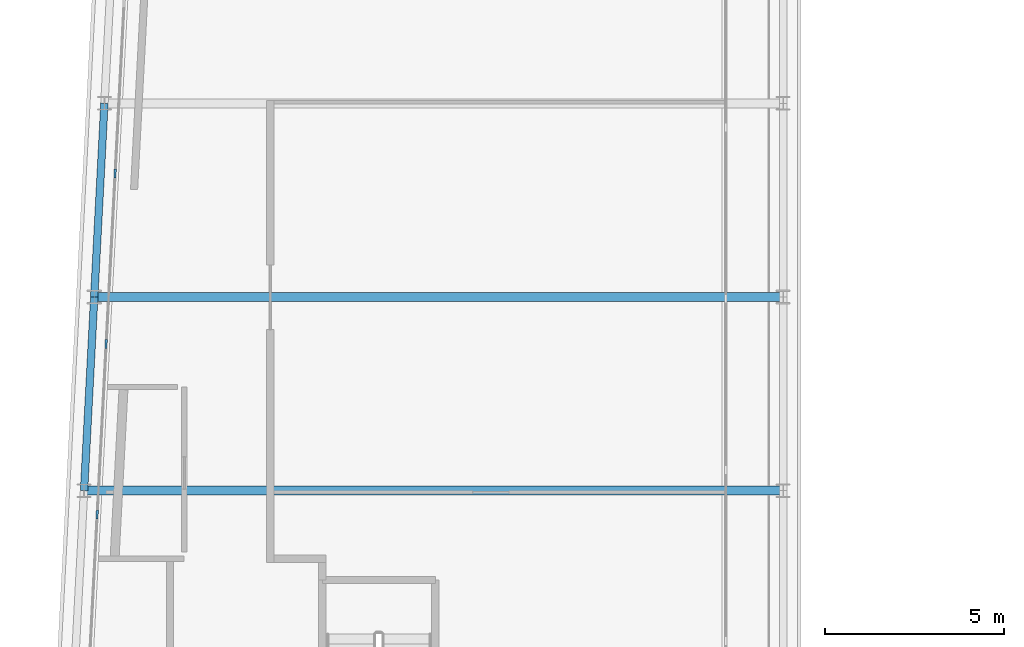
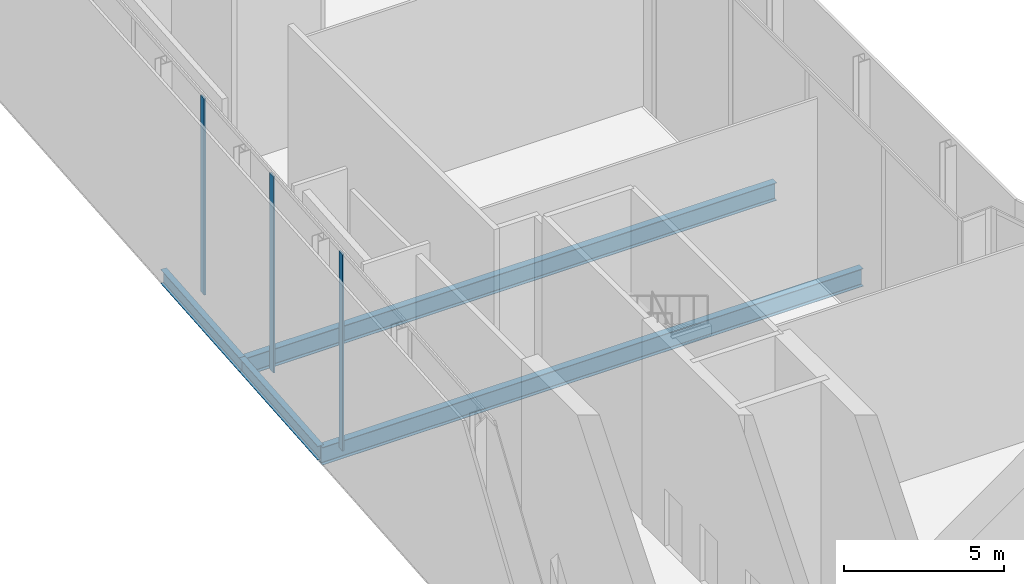
# One storey, part 9 of 28: 4 beams, 3 members, 1 element without a shape of its own.
"""IFC4 building model written with IfcOpenShell, lengths in metres."""

from ifc_helpers import new_model, si_unit, direction, frame, origin, origin_2d, place, context, subcontext, project, spatial, rectangle, i_section, extrude, material, layer, layer_set, material_profile, profile_set, type_object, element, aggregate, save


model = new_model("IFC4")

# Units and contexts
model_context = context("Model", 3, precision=1e-05, world=origin(), true_north=direction((0.0, 1.0)))
body_context = subcontext(model_context, "Body", "Model", "MODEL_VIEW")
ifc_project = project(units=[si_unit("LENGTHUNIT", "METRE"), si_unit("AREAUNIT", "SQUARE_METRE"), si_unit("VOLUMEUNIT", "CUBIC_METRE"), si_unit("PLANEANGLEUNIT", "RADIAN"), si_unit("MASSUNIT", "GRAM", prefix="KILO")], contexts=[model_context])

# Site, building, storey
site_placement = place(None, origin())
site = spatial("IfcSite", under=ifc_project, at=site_placement, CompositionType="ELEMENT")
building_placement = place(site_placement, origin())
building = spatial("IfcBuilding", under=site, at=building_placement, Name="Kheshtan School and Residences Tower", CompositionType="ELEMENT")
storey_placement = place(building_placement, frame((0.0, 0.0, 325.39990234375)))
storey = spatial("IfcBuildingStorey", under=building, at=storey_placement, Name="L77", CompositionType="ELEMENT", Elevation=325.39990234375)

# Beams
ifc_material_1 = material(Name="Steel ASTM A992 Grade 50", Category="steel")
ifc_material_profile_1 = material_profile(ifc_material_1, i_section(OverallWidth=0.2529296875, OverallDepth=0.677978515625, WebThickness=0.01171875, FlangeThickness=0.016357421875, FilletRadius=0.0146484375, at=origin_2d()), Name="W690x125")
ifc_profile_set_1 = profile_set([ifc_material_profile_1], Name="Steel ASTM A992 Grade 50")
beam_type_1 = type_object("IfcBeamType", Name="Beam FB6 W690x125 ASTM A992 Grade 50", PredefinedType="BEAM", material=ifc_profile_set_1)
beam_1_placement = place(storey_placement, frame((47.60009765625, 56.39990234375, -0.489013671875), z_axis=(-1.0, 0.0, 0.0), x_axis=(0.0, -1.0, 0.0)))
element("IfcBeam", 1, at=beam_1_placement, inside=storey, type_object=beam_type_1, Name="Floor beam C081", PredefinedType="BEAM", context=body_context, shape_type="SweptSolid", body=[
    extrude(i_section(OverallWidth=0.2529296875, OverallDepth=0.677978515625, WebThickness=0.01171875, FlangeThickness=0.016357421875, FilletRadius=0.0146484375, at=origin_2d()), origin(), (0.0, 0.0, 1.0), 19.494140625),
])
beam_2_placement = place(storey_placement, frame((28.389892578125, 61.800048828125, -0.489013671875), z_axis=(1.0, 0.0, 0.0), x_axis=(0.0, 1.0, 0.0)))
element("IfcBeam", 2, at=beam_2_placement, inside=storey, type_object=beam_type_1, Name="Floor beam C082", PredefinedType="BEAM", context=body_context, shape_type="SweptSolid", body=[
    extrude(i_section(OverallWidth=0.2529296875, OverallDepth=0.677978515625, WebThickness=0.01171875, FlangeThickness=0.016357421875, FilletRadius=0.0146484375, at=origin_2d()), origin(), (0.0, 0.0, 1.0), 19.210205078125),
])
ifc_material_profile_2 = material_profile(ifc_material_1, i_section(OverallWidth=0.208984375, OverallDepth=0.532958984375, WebThickness=0.01025390625, FlangeThickness=0.015625, FilletRadius=0.013916015625, at=origin_2d()), Name="W530x92")
ifc_profile_set_2 = profile_set([ifc_material_profile_2], Name="Steel ASTM A992 Grade 50")
beam_type_2 = type_object("IfcBeamType", Name="Beam SP3 W530x92 ASTM A992 Grade 50", PredefinedType="BEAM", material=ifc_profile_set_2)
beam_3_placement = place(storey_placement, frame((28.10595703125, 56.39990234375, -0.41650390625), z_axis=(0.05250670125, 0.998620571751, 0.0), x_axis=(-0.998620571751, 0.05250670125, 0.0)))
element("IfcBeam", 3, at=beam_3_placement, inside=storey, type_object=beam_type_2, Name="Spandrel beam C080-C082", PredefinedType="BEAM", context=body_context, shape_type="SweptSolid", body=[
    extrude(i_section(OverallWidth=0.208984375, OverallDepth=0.532958984375, WebThickness=0.01025390625, FlangeThickness=0.015625, FilletRadius=0.013916015625, at=origin_2d()), origin(), (0.0, 0.0, 1.0), 5.40771484375),
])
beam_4_placement = place(storey_placement, frame((28.389892578125, 61.800048828125, -0.41650390625), z_axis=(0.052554093665, 0.998618078766, 0.0), x_axis=(-0.998618078766, 0.052554093665, 0.0)))
element("IfcBeam", 4, at=beam_4_placement, inside=storey, type_object=beam_type_2, Name="Spandrel beam C082-C084", PredefinedType="BEAM", context=body_context, shape_type="SweptSolid", body=[
    extrude(i_section(OverallWidth=0.208984375, OverallDepth=0.532958984375, WebThickness=0.01025390625, FlangeThickness=0.015625, FilletRadius=0.013916015625, at=origin_2d()), origin(), (0.0, 0.0, 1.0), 5.407470703125),
])

# Curtain wall, members
ifc_material_2 = material(Name="Clear low-e glass in thermally broken aluminium frame", Category="aluminium")
ifc_layer = layer(ifc_material_2, 0.25)
ifc_layer_set = layer_set([ifc_layer], Name="Curtain wall CW-K")
curtain_wall_type = type_object("IfcCurtainWallType", Name="Curtain wall CW-K", PredefinedType="NOTDEFINED", material=ifc_layer_set)
curtain_wall_placement = place(storey_placement, origin())
curtain_wall = element("IfcCurtainWall", 5, at=curtain_wall_placement, inside=storey, type_object=curtain_wall_type, Name="Curtain wall CWK6b", PredefinedType="NOTDEFINED")
ifc_material_3 = material(Name="Thermally broken aluminium, dark bronze anodised", Category="aluminium")
ifc_material_profile_3 = material_profile(ifc_material_3, rectangle(XDim=0.06005859375, YDim=0.25, at=origin_2d()), Name="CW-K mullion 60x250")
ifc_profile_set_3 = profile_set([ifc_material_profile_3], Name="Thermally broken aluminium, dark bronze anodised")
member_type = type_object("IfcMemberType", Name="CW-K mullion 60x250", PredefinedType="MULLION", material=ifc_profile_set_3)
member_1_placement = place(storey_placement, frame((28.470947265625, 55.737060546875, 0.0), z_axis=(0.0, 0.0, 1.0), x_axis=(-0.998617497599, 0.05256513568, 0.0)))
member_1 = element("IfcMember", 6, at=member_1_placement, type_object=member_type, Name="CWK6b mullion 6", PredefinedType="MULLION", context=body_context, shape_type="SweptSolid", body=[
    extrude(rectangle(XDim=0.06005859375, YDim=0.25, at=origin_2d()), origin(), (0.0, 0.0, 1.0), 7.489990234375),
])
member_2_placement = place(storey_placement, frame((28.720947265625, 60.489013671875, 0.0), z_axis=(0.0, 0.0, 1.0), x_axis=(-0.998617497599, 0.05256513568, 0.0)))
member_2 = element("IfcMember", 7, at=member_2_placement, type_object=member_type, Name="CWK6b mullion 7", PredefinedType="MULLION", context=body_context, shape_type="SweptSolid", body=[
    extrude(rectangle(XDim=0.06005859375, YDim=0.25, at=origin_2d()), origin(), (0.0, 0.0, 1.0), 7.489990234375),
])
member_3_placement = place(storey_placement, frame((28.97119140625, 65.2412109375, 0.0), z_axis=(0.0, 0.0, 1.0), x_axis=(-0.998617497599, 0.05256513568, 0.0)))
member_3 = element("IfcMember", 8, at=member_3_placement, type_object=member_type, Name="CWK6b mullion 8", PredefinedType="MULLION", context=body_context, shape_type="SweptSolid", body=[
    extrude(rectangle(XDim=0.06005859375, YDim=0.25, at=origin_2d()), origin(), (0.0, 0.0, 1.0), 7.489990234375),
])
aggregate(curtain_wall, [member_1, member_2, member_3])

save(model, "model.ifc")
